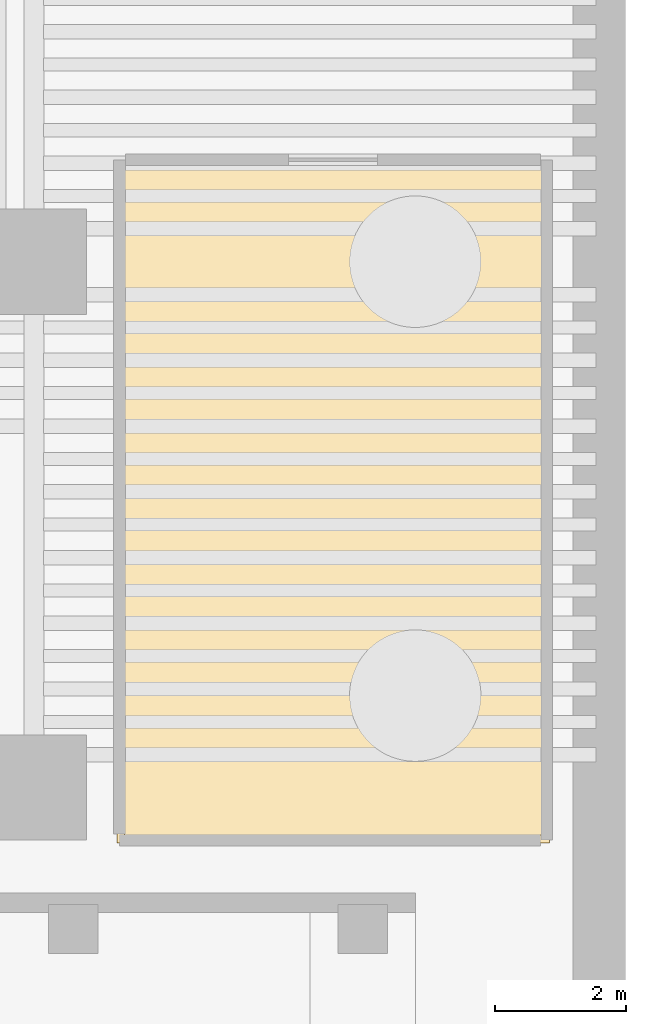
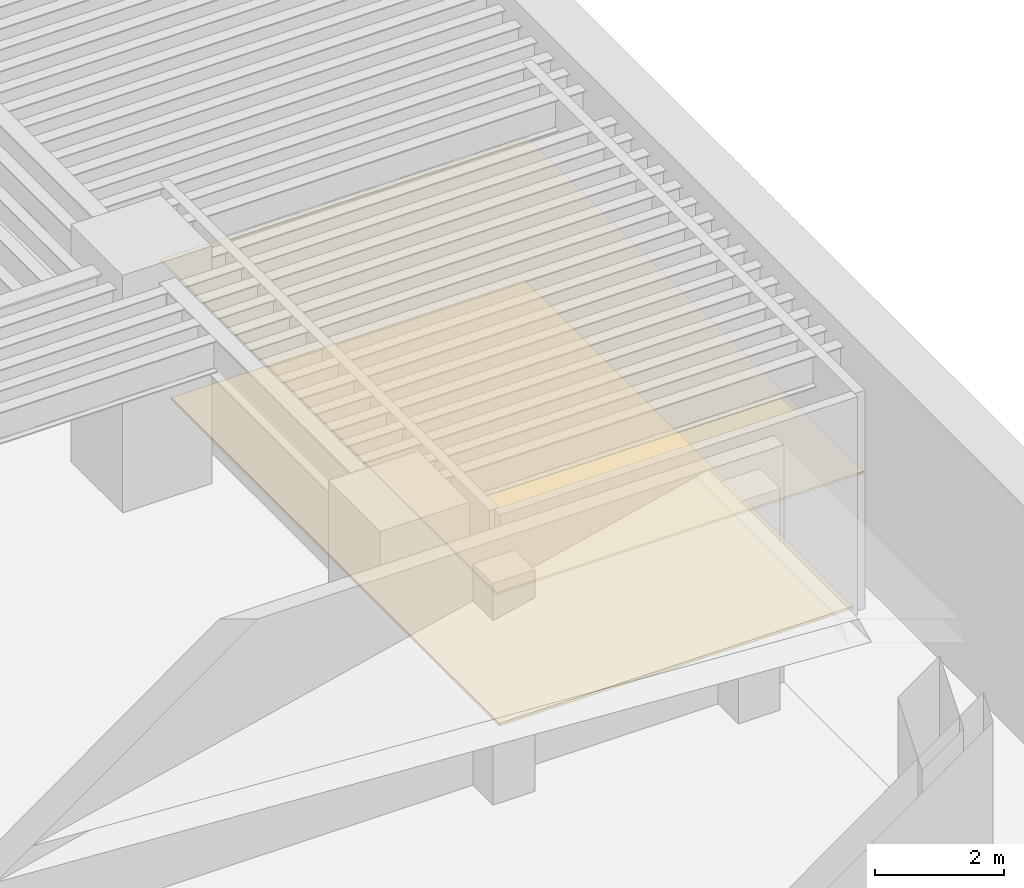
# One storey, part 8 of 11: 2 coverings.
"""IFC4 building model written with IfcOpenShell, lengths in metres."""

from ifc_helpers import new_model, si_unit, direction, frame, origin, place, context, subcontext, project, spatial, polyline, outline, extrude, material, layer, layer_set, type_object, element, save


model = new_model("IFC4")

# Units and contexts
model_context = context("Model", 3, precision=1e-05, world=origin(), true_north=direction((0.0, 1.0)))
body_context = subcontext(model_context, "Body", "Model", "MODEL_VIEW")
ifc_project = project(units=[si_unit("LENGTHUNIT", "METRE"), si_unit("AREAUNIT", "SQUARE_METRE"), si_unit("VOLUMEUNIT", "CUBIC_METRE"), si_unit("PLANEANGLEUNIT", "RADIAN"), si_unit("MASSUNIT", "GRAM", prefix="KILO")], contexts=[model_context])

# Site, building, storey
site_placement = place(None, origin())
site = spatial("IfcSite", under=ifc_project, at=site_placement, CompositionType="ELEMENT")
building_placement = place(site_placement, origin())
building = spatial("IfcBuilding", under=site, at=building_placement, Name="Caeloran Harvest Quay", CompositionType="ELEMENT")
storey_placement = place(building_placement, frame((0.0, 0.0, -18.0)))
storey = spatial("IfcBuildingStorey", under=building, at=storey_placement, Name="B04", CompositionType="ELEMENT", Elevation=-18.0)

# Coverings
ifc_material_1 = material(Name="Perforated Mineral-Fibre Acoustic Ceiling Tile", Category="ceiling")
ifc_layer_1 = layer(ifc_material_1, 0.0400390625, Name="Perforated Mineral-Fibre Acoustic Ceiling Tile")
ifc_layer_set_1 = layer_set([ifc_layer_1], Name="Perforated Mineral-Fibre Acoustic Ceiling Tile")
covering_type_1 = type_object("IfcCoveringType", Name="COV-CEILING-ACOUSTIC", PredefinedType="CEILING", material=ifc_layer_set_1)
covering_1_placement = place(storey_placement, frame((0.0, 0.0, 2.60009765625)))
element("IfcCovering", 1, at=covering_1_placement, inside=storey, type_object=covering_type_1, Name="Rainwater Harvesting Cistern and Greywater Tank Plant Acoustic Ceiling", PredefinedType="CEILING", context=body_context, shape_type="SweptSolid", body=[
    extrude(outline(polyline([(58.840087890625, 24.590087890625), (58.840087890625, 14.159912109375), (52.260009765625, 14.159912109375), (52.260009765625, 24.590087890625), (58.840087890625, 24.590087890625)])), origin(), (0.0, 0.0, 1.0), 0.039794921875),
])
ifc_material_2 = material(Name="Calcium-Sulphate Raised Access Floor and Terrazzo Finish", Category="flooring")
ifc_layer_2 = layer(ifc_material_2, 0.050048828125, Name="Calcium-Sulphate Raised Access Floor and Terrazzo Finish")
ifc_layer_set_2 = layer_set([ifc_layer_2], Name="Calcium-Sulphate Raised Access Floor and Terrazzo Finish")
covering_type_2 = type_object("IfcCoveringType", Name="COV-FLOOR-RAISED", PredefinedType="FLOORING", material=ifc_layer_set_2)
covering_2_placement = place(storey_placement, origin())
element("IfcCovering", 2, at=covering_2_placement, inside=storey, type_object=covering_type_2, Name="Rainwater Harvesting Cistern and Greywater Tank Plant Raised Finish Flooring", PredefinedType="FLOORING", context=body_context, shape_type="SweptSolid", body=[
    extrude(outline(polyline([(58.719970703125, 24.469970703125), (58.719970703125, 14.280029296875), (52.3798828125, 14.280029296875), (52.3798828125, 24.469970703125), (58.719970703125, 24.469970703125)])), origin(), (0.0, 0.0, 1.0), 0.050048828125),
])

save(model, "model.ifc")
